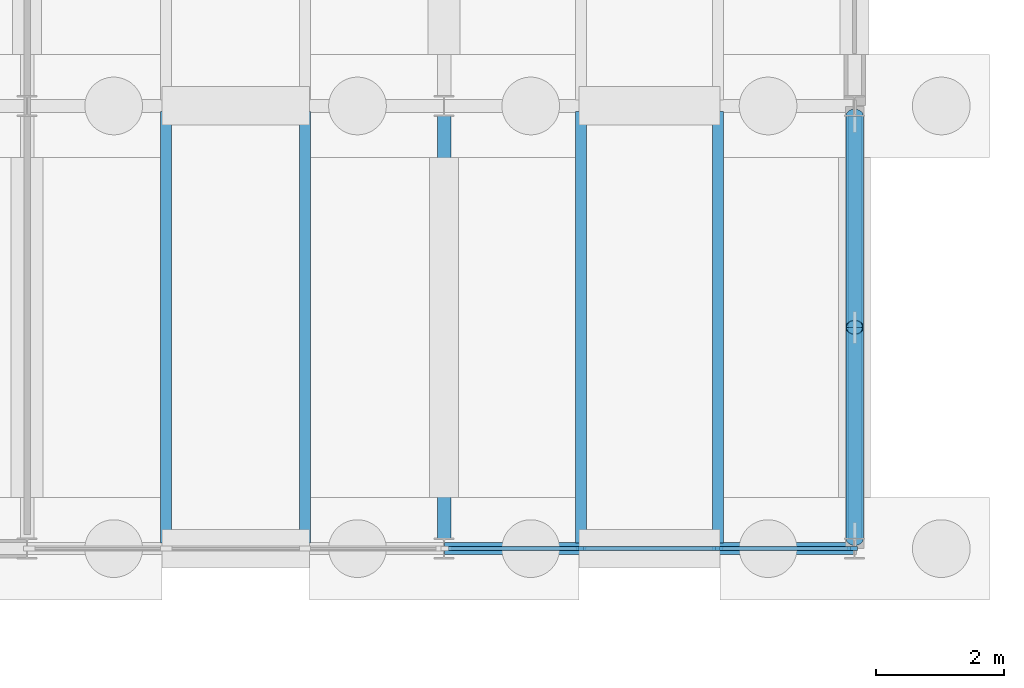
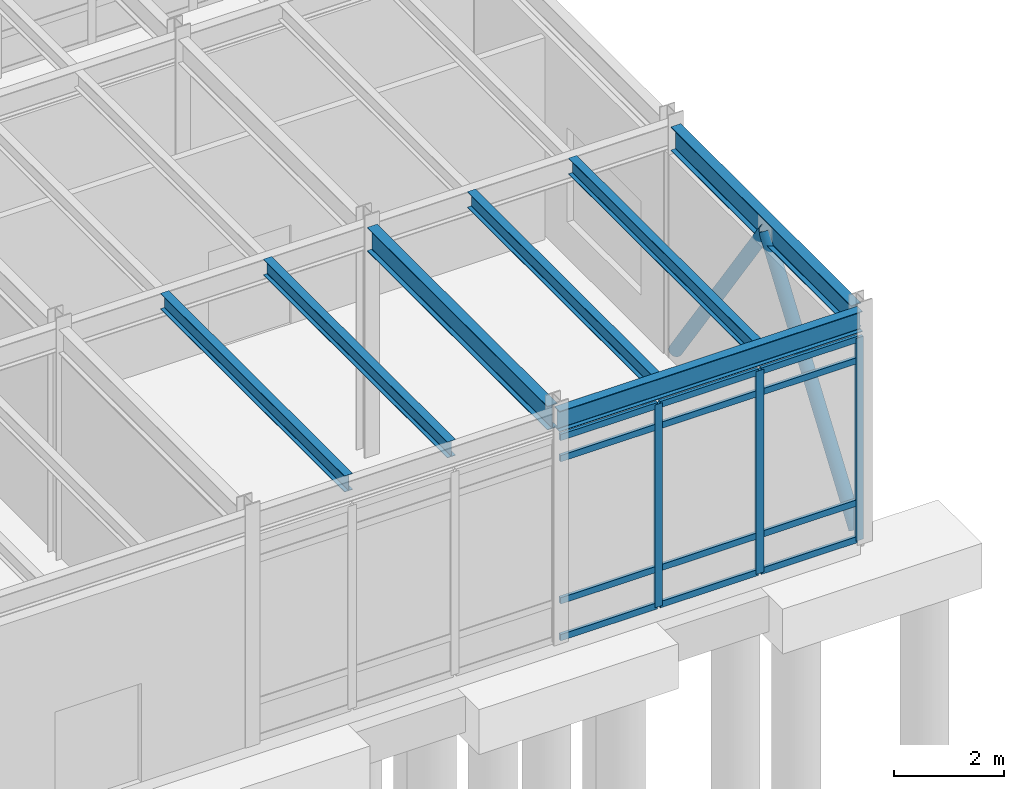
# One storey, part 48 of 82: 17 members, 7 beams, 1 element without a shape of its own.
"""IFC4 building model written with IfcOpenShell, lengths in metres."""

from ifc_helpers import new_model, si_unit, direction, frame, origin, origin_2d, place, context, subcontext, project, spatial, rectangle, hollow_circle, i_section, extrude, material, layer, layer_set, material_profile, profile_set, type_object, element, aggregate, save


model = new_model("IFC4")

# Units and contexts
model_context = context("Model", 3, precision=1e-05, world=origin(), true_north=direction((0.0, 1.0)))
body_context = subcontext(model_context, "Body", "Model", "MODEL_VIEW")
ifc_project = project(units=[si_unit("LENGTHUNIT", "METRE"), si_unit("AREAUNIT", "SQUARE_METRE"), si_unit("VOLUMEUNIT", "CUBIC_METRE"), si_unit("PLANEANGLEUNIT", "RADIAN"), si_unit("MASSUNIT", "GRAM", prefix="KILO")], contexts=[model_context])

# Site, building, storey
site_placement = place(None, origin())
site = spatial("IfcSite", under=ifc_project, at=site_placement, CompositionType="ELEMENT")
building_placement = place(site_placement, origin())
building = spatial("IfcBuilding", under=site, at=building_placement, Name="Trelmorton Wharf Fire Station", CompositionType="ELEMENT")
storey_placement = place(building_placement, origin())
storey = spatial("IfcBuildingStorey", under=building, at=storey_placement, Name="L00", CompositionType="ELEMENT", Elevation=0.0)

# Beams
ifc_material_1 = material(Name="Steel Grade 350", Category="steel")
ifc_material_profile_1 = material_profile(ifc_material_1, i_section(OverallWidth=0.208984375, OverallDepth=0.532958984375, WebThickness=0.01025390625, FlangeThickness=0.015625, FilletRadius=0.013916015625, at=origin_2d()), Name="530UB92.4")
ifc_profile_set_1 = profile_set([ifc_material_profile_1], Name="Steel Grade 350")
beam_type_1 = type_object("IfcBeamType", Name="BM_530UB92", PredefinedType="BEAM", material=ifc_profile_set_1)
for number, where, z_axis, x_axis, name in (
    (1, (156.0, 60.45947265625, 4.863525390625), (0.0, 1.0, 0.0), (-1.0, 0.0, 0.0), "BM-L00-0383"),
    (2, (162.39990234375, 60.45947265625, 4.863525390625), (0.0, 1.0, 0.0), (-1.0, 0.0, 0.0), "BM-L00-0390"),
):
    element("IfcBeam", number, at=place(storey_placement, frame(where, z_axis=z_axis, x_axis=x_axis)), inside=storey, type_object=beam_type_1, Name=name, PredefinedType="BEAM", context=body_context, shape_type="SweptSolid", body=[
        extrude(i_section(OverallWidth=0.208984375, OverallDepth=0.532958984375, WebThickness=0.01025390625, FlangeThickness=0.015625, FilletRadius=0.013916015625, at=origin_2d()), origin(), (0.0, 0.0, 1.0), 6.5810546875),
    ])

# Members
ifc_material_2 = material(Name="Steel C350L0 (350 MPa)", Category="steel")
ifc_material_profile_2 = material_profile(ifc_material_2, hollow_circle(Radius=0.136474609375, WallThickness=0.00927734375, at=origin_2d()), Name="273.1x9.3CHS")
ifc_profile_set_2 = profile_set([ifc_material_profile_2], Name="Steel C350L0 (350 MPa)")
member_type_1 = type_object("IfcMemberType", Name="BR_273CHS", PredefinedType="BRACE", material=ifc_profile_set_2)
for number, where, z_axis, x_axis, name in (
    (3, (162.39990234375, 60.46044921875, 0.1201171875), (0.0, 0.576706723329, 0.816951256359), (-1.0, 0.0, 0.0), "CBF-V4-E-L00-A"),
    (4, (162.39990234375, 67.03955078125, 0.1201171875), (0.0, -0.576706723329, 0.816951256359), (1.0, 0.0, 0.0), "CBF-V4-E-L00-B"),
):
    element("IfcMember", number, at=place(storey_placement, frame(where, z_axis=z_axis, x_axis=x_axis)), inside=storey, type_object=member_type_1, Name=name, PredefinedType="BRACE", context=body_context, shape_type="SweptSolid", body=[
        extrude(hollow_circle(Radius=0.136474609375, WallThickness=0.00927734375, at=origin_2d()), origin(), (0.0, 0.0, 1.0), 5.7041015625),
    ])

# Curtain wall, members
ifc_material_3 = material(Name="Anodised aluminium AW-6063", Category="aluminium")
ifc_layer = layer(ifc_material_3, 0.159912109375)
ifc_layer_set = layer_set([ifc_layer], Name="Anodised aluminium AW-6063")
curtain_wall_type = type_object("IfcCurtainWallType", Name="CW_CHIC_A", PredefinedType="USERDEFINED", material=ifc_layer_set)
curtain_wall_placement = place(storey_placement, origin())
curtain_wall = element("IfcCurtainWall", 5, at=curtain_wall_placement, inside=storey, type_object=curtain_wall_type, Name="CW-V4-L00-119", ObjectType="CHICAGO BAY CURTAIN WALL", PredefinedType="USERDEFINED")
ifc_material_profile_3 = material_profile(ifc_material_3, rectangle(XDim=0.06494140625, YDim=0.159912109375, at=origin_2d()), Name="ALU-65x160")
ifc_profile_set_3 = profile_set([ifc_material_profile_3], Name="Anodised aluminium AW-6063")
member_type_2 = type_object("IfcMemberType", Name="CWM_65x160", PredefinedType="MULLION", material=ifc_profile_set_3)
member_1_placement = place(storey_placement, frame((162.364990234375, 60.300048828125, 0.0), z_axis=(0.0, 0.0, 1.0), x_axis=(0.0, -1.0, 0.0)))
member_1 = element("IfcMember", 6, at=member_1_placement, type_object=member_type_2, Name="CW1 mullion 1", PredefinedType="MULLION", context=body_context, shape_type="SweptSolid", body=[
    extrude(rectangle(XDim=0.06494140625, YDim=0.159912109375, at=origin_2d()), origin(), (0.0, 0.0, 1.0), 4.52001953125),
])
member_2_placement = place(storey_placement, frame((160.264892578125, 60.300048828125, 0.0), z_axis=(0.0, 0.0, 1.0), x_axis=(0.0, -1.0, 0.0)))
member_2 = element("IfcMember", 7, at=member_2_placement, type_object=member_type_2, Name="CW1 mullion 2", PredefinedType="MULLION", context=body_context, shape_type="SweptSolid", body=[
    extrude(rectangle(XDim=0.06494140625, YDim=0.159912109375, at=origin_2d()), origin(), (0.0, 0.0, 1.0), 4.52001953125),
])
member_3_placement = place(storey_placement, frame((158.135009765625, 60.300048828125, 0.0), z_axis=(0.0, 0.0, 1.0), x_axis=(0.0, -1.0, 0.0)))
member_3 = element("IfcMember", 8, at=member_3_placement, type_object=member_type_2, Name="CW1 mullion 3", PredefinedType="MULLION", context=body_context, shape_type="SweptSolid", body=[
    extrude(rectangle(XDim=0.06494140625, YDim=0.159912109375, at=origin_2d()), origin(), (0.0, 0.0, 1.0), 4.52001953125),
])
ifc_material_profile_4 = material_profile(ifc_material_3, rectangle(XDim=0.06494140625, YDim=0.139892578125, at=origin_2d()), Name="ALU-65x140")
ifc_profile_set_4 = profile_set([ifc_material_profile_4], Name="Anodised aluminium AW-6063")
member_type_3 = type_object("IfcMemberType", Name="CWT_65x140", PredefinedType="USERDEFINED", material=ifc_profile_set_4)
member_4_placement = place(storey_placement, frame((162.3349609375, 60.300048828125, 0.030029296875), z_axis=(-1.0, 0.0, 0.0), x_axis=(0.0, -1.0, 0.0)))
member_4 = element("IfcMember", 9, at=member_4_placement, type_object=member_type_3, Name="CW1 transom 1.1", ObjectType="TRANSOM", PredefinedType="USERDEFINED", context=body_context, shape_type="SweptSolid", body=[
    extrude(rectangle(XDim=0.06494140625, YDim=0.139892578125, at=origin_2d()), origin(), (0.0, 0.0, 1.0), 2.0400390625),
])
member_5_placement = place(storey_placement, frame((162.3349609375, 60.300048828125, 0.85009765625), z_axis=(-1.0, 0.0, 0.0), x_axis=(0.0, -1.0, 0.0)))
member_5 = element("IfcMember", 10, at=member_5_placement, type_object=member_type_3, Name="CW1 transom 1.2", ObjectType="TRANSOM", PredefinedType="USERDEFINED", context=body_context, shape_type="SweptSolid", body=[
    extrude(rectangle(XDim=0.06494140625, YDim=0.139892578125, at=origin_2d()), origin(), (0.0, 0.0, 1.0), 2.0400390625),
])
member_6_placement = place(storey_placement, frame((162.3349609375, 60.300048828125, 4.02001953125), z_axis=(-1.0, 0.0, 0.0), x_axis=(0.0, -1.0, 0.0)))
member_6 = element("IfcMember", 11, at=member_6_placement, type_object=member_type_3, Name="CW1 transom 1.3", ObjectType="TRANSOM", PredefinedType="USERDEFINED", context=body_context, shape_type="SweptSolid", body=[
    extrude(rectangle(XDim=0.06494140625, YDim=0.139892578125, at=origin_2d()), origin(), (0.0, 0.0, 1.0), 2.0400390625),
])
member_7_placement = place(storey_placement, frame((162.3349609375, 60.300048828125, 4.489990234375), z_axis=(-1.0, 0.0, 0.0), x_axis=(0.0, -1.0, 0.0)))
member_7 = element("IfcMember", 12, at=member_7_placement, type_object=member_type_3, Name="CW1 transom 1.4", ObjectType="TRANSOM", PredefinedType="USERDEFINED", context=body_context, shape_type="SweptSolid", body=[
    extrude(rectangle(XDim=0.06494140625, YDim=0.139892578125, at=origin_2d()), origin(), (0.0, 0.0, 1.0), 2.0400390625),
])
member_8_placement = place(storey_placement, frame((160.235107421875, 60.300048828125, 0.030029296875), z_axis=(-1.0, 0.0, 0.0), x_axis=(0.0, -1.0, 0.0)))
member_8 = element("IfcMember", 13, at=member_8_placement, type_object=member_type_3, Name="CW1 transom 2.1", ObjectType="TRANSOM", PredefinedType="USERDEFINED", context=body_context, shape_type="SweptSolid", body=[
    extrude(rectangle(XDim=0.06494140625, YDim=0.139892578125, at=origin_2d()), origin(), (0.0, 0.0, 1.0), 2.070068359375),
])
member_9_placement = place(storey_placement, frame((160.235107421875, 60.300048828125, 0.85009765625), z_axis=(-1.0, 0.0, 0.0), x_axis=(0.0, -1.0, 0.0)))
member_9 = element("IfcMember", 14, at=member_9_placement, type_object=member_type_3, Name="CW1 transom 2.2", ObjectType="TRANSOM", PredefinedType="USERDEFINED", context=body_context, shape_type="SweptSolid", body=[
    extrude(rectangle(XDim=0.06494140625, YDim=0.139892578125, at=origin_2d()), origin(), (0.0, 0.0, 1.0), 2.070068359375),
])
member_10_placement = place(storey_placement, frame((160.235107421875, 60.300048828125, 4.02001953125), z_axis=(-1.0, 0.0, 0.0), x_axis=(0.0, -1.0, 0.0)))
member_10 = element("IfcMember", 15, at=member_10_placement, type_object=member_type_3, Name="CW1 transom 2.3", ObjectType="TRANSOM", PredefinedType="USERDEFINED", context=body_context, shape_type="SweptSolid", body=[
    extrude(rectangle(XDim=0.06494140625, YDim=0.139892578125, at=origin_2d()), origin(), (0.0, 0.0, 1.0), 2.070068359375),
])
member_11_placement = place(storey_placement, frame((160.235107421875, 60.300048828125, 4.489990234375), z_axis=(-1.0, 0.0, 0.0), x_axis=(0.0, -1.0, 0.0)))
member_11 = element("IfcMember", 16, at=member_11_placement, type_object=member_type_3, Name="CW1 transom 2.4", ObjectType="TRANSOM", PredefinedType="USERDEFINED", context=body_context, shape_type="SweptSolid", body=[
    extrude(rectangle(XDim=0.06494140625, YDim=0.139892578125, at=origin_2d()), origin(), (0.0, 0.0, 1.0), 2.070068359375),
])
member_12_placement = place(storey_placement, frame((158.10498046875, 60.300048828125, 0.030029296875), z_axis=(-1.0, 0.0, 0.0), x_axis=(0.0, -1.0, 0.0)))
member_12 = element("IfcMember", 17, at=member_12_placement, type_object=member_type_3, Name="CW1 transom 3.1", ObjectType="TRANSOM", PredefinedType="USERDEFINED", context=body_context, shape_type="SweptSolid", body=[
    extrude(rectangle(XDim=0.06494140625, YDim=0.139892578125, at=origin_2d()), origin(), (0.0, 0.0, 1.0), 2.0400390625),
])
member_13_placement = place(storey_placement, frame((158.10498046875, 60.300048828125, 0.85009765625), z_axis=(-1.0, 0.0, 0.0), x_axis=(0.0, -1.0, 0.0)))
member_13 = element("IfcMember", 18, at=member_13_placement, type_object=member_type_3, Name="CW1 transom 3.2", ObjectType="TRANSOM", PredefinedType="USERDEFINED", context=body_context, shape_type="SweptSolid", body=[
    extrude(rectangle(XDim=0.06494140625, YDim=0.139892578125, at=origin_2d()), origin(), (0.0, 0.0, 1.0), 2.0400390625),
])
member_14_placement = place(storey_placement, frame((158.10498046875, 60.300048828125, 4.02001953125), z_axis=(-1.0, 0.0, 0.0), x_axis=(0.0, -1.0, 0.0)))
member_14 = element("IfcMember", 19, at=member_14_placement, type_object=member_type_3, Name="CW1 transom 3.3", ObjectType="TRANSOM", PredefinedType="USERDEFINED", context=body_context, shape_type="SweptSolid", body=[
    extrude(rectangle(XDim=0.06494140625, YDim=0.139892578125, at=origin_2d()), origin(), (0.0, 0.0, 1.0), 2.0400390625),
])
member_15_placement = place(storey_placement, frame((158.10498046875, 60.300048828125, 4.489990234375), z_axis=(-1.0, 0.0, 0.0), x_axis=(0.0, -1.0, 0.0)))
member_15 = element("IfcMember", 20, at=member_15_placement, type_object=member_type_3, Name="CW1 transom 3.4", ObjectType="TRANSOM", PredefinedType="USERDEFINED", context=body_context, shape_type="SweptSolid", body=[
    extrude(rectangle(XDim=0.06494140625, YDim=0.139892578125, at=origin_2d()), origin(), (0.0, 0.0, 1.0), 2.0400390625),
])
aggregate(curtain_wall, [member_1, member_2, member_3, member_4, member_5, member_6, member_7, member_8, member_9, member_10, member_11, member_12, member_13, member_14, member_15])

# Beams
ifc_material_profile_5 = material_profile(ifc_material_1, i_section(OverallWidth=0.172119140625, OverallDepth=0.35888671875, WebThickness=0.008056640625, FlangeThickness=0.012939453125, FilletRadius=0.011474609375, at=origin_2d()), Name="360UB56.7")
ifc_profile_set_5 = profile_set([ifc_material_profile_5], Name="Steel Grade 350")
beam_type_2 = type_object("IfcBeamType", Name="JS_360UB57", PredefinedType="JOIST", material=ifc_profile_set_5)
for number, where, z_axis, x_axis, name in (
    (21, (151.666748046875, 60.389892578125, 4.950439453125), (0.0, 1.0, 0.0), (-1.0, 0.0, 0.0), "JS-L00-0123"),
    (22, (153.833251953125, 60.389892578125, 4.950439453125), (0.0, 1.0, 0.0), (-1.0, 0.0, 0.0), "JS-L00-0124"),
    (23, (158.13330078125, 60.389892578125, 4.950439453125), (0.0, 1.0, 0.0), (-1.0, 0.0, 0.0), "JS-L00-0133"),
    (24, (160.2666015625, 60.389892578125, 4.950439453125), (0.0, 1.0, 0.0), (-1.0, 0.0, 0.0), "JS-L00-0134"),
):
    element("IfcBeam", number, at=place(storey_placement, frame(where, z_axis=z_axis, x_axis=x_axis)), inside=storey, type_object=beam_type_2, Name=name, PredefinedType="JOIST", context=body_context, shape_type="SweptSolid", body=[
        extrude(i_section(OverallWidth=0.172119140625, OverallDepth=0.35888671875, WebThickness=0.008056640625, FlangeThickness=0.012939453125, FilletRadius=0.011474609375, at=origin_2d()), origin(), (0.0, 0.0, 1.0), 6.72021484375),
    ])
ifc_material_profile_6 = material_profile(ifc_material_1, i_section(OverallWidth=0.18994140625, OverallDepth=0.45703125, WebThickness=0.009033203125, FlangeThickness=0.014404296875, FilletRadius=0.011474609375, at=origin_2d()), Name="460UB74.6")
ifc_profile_set_6 = profile_set([ifc_material_profile_6], Name="Steel Grade 350")
beam_type_3 = type_object("IfcBeamType", Name="SP_460UB75", PredefinedType="SPANDREL", material=ifc_profile_set_6)
beam_placement = place(storey_placement, frame((156.005859375, 60.300048828125, 4.901611328125), z_axis=(1.0, 0.0, 0.0), x_axis=(0.0, 1.0, 0.0)))
element("IfcBeam", 25, at=beam_placement, inside=storey, type_object=beam_type_3, Name="BM-L00-0149", PredefinedType="SPANDREL", context=body_context, shape_type="SweptSolid", body=[
    extrude(i_section(OverallWidth=0.18994140625, OverallDepth=0.45703125, WebThickness=0.009033203125, FlangeThickness=0.014404296875, FilletRadius=0.011474609375, at=origin_2d()), origin(), (0.0, 0.0, 1.0), 6.38818359375),
])

save(model, "model.ifc")
